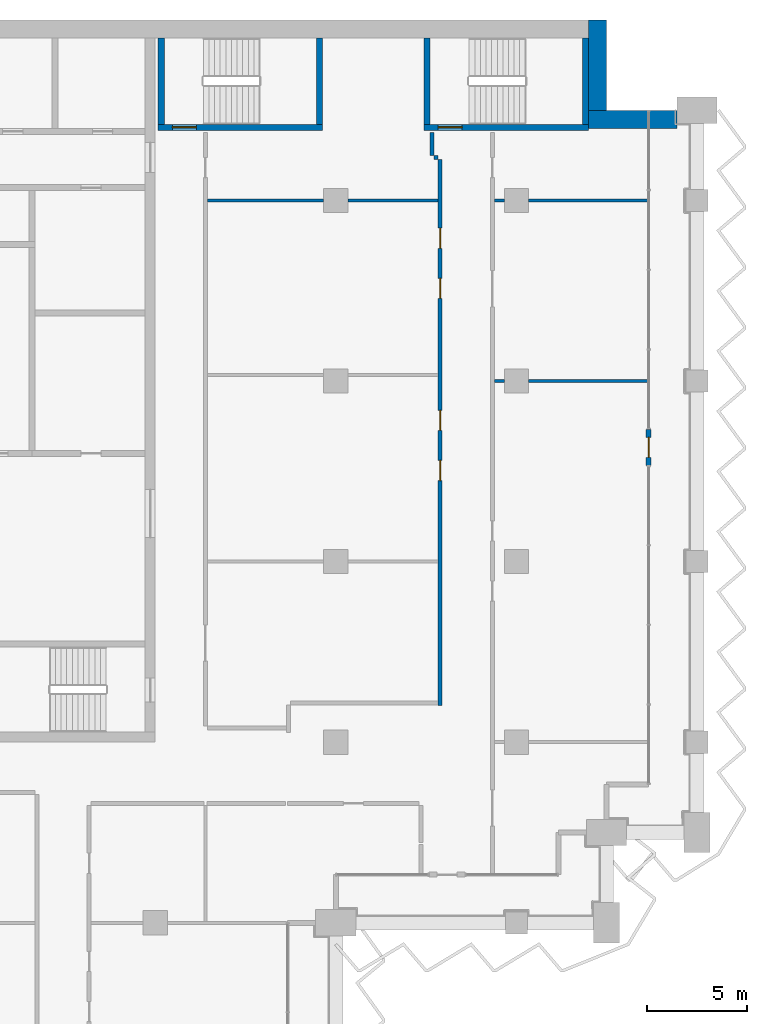
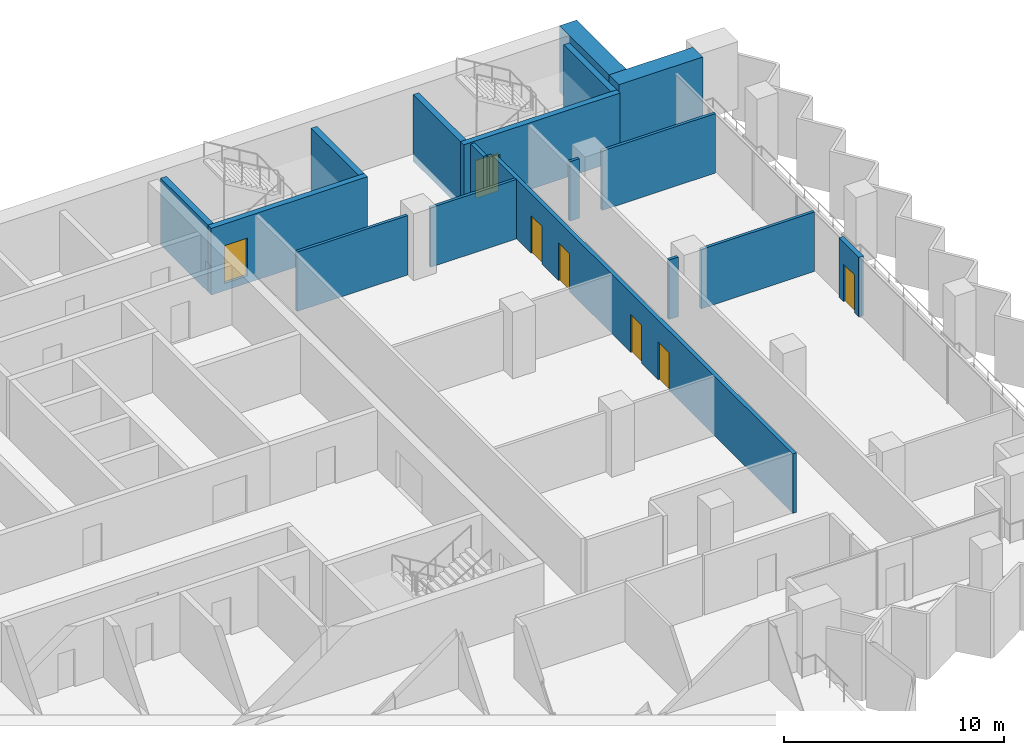
# One storey, part 15 of 23: 18 walls, 7 doors, 7 openings.
"""IFC4 building model written with IfcOpenShell, lengths in metres."""

from ifc_helpers import new_model, si_unit, direction, frame, frame_2d, origin, place, context, subcontext, project, spatial, rectangle, extrude, material, layer, layer_set, type_object, element, fill, save


model = new_model("IFC4")

# Units and contexts
model_context = context("Model", 3, precision=1e-05, world=origin(), true_north=direction((0.0, 1.0)))
body_context = subcontext(model_context, "Body", "Model", "MODEL_VIEW")
ifc_project = project(units=[si_unit("LENGTHUNIT", "METRE"), si_unit("AREAUNIT", "SQUARE_METRE"), si_unit("VOLUMEUNIT", "CUBIC_METRE"), si_unit("PLANEANGLEUNIT", "RADIAN"), si_unit("MASSUNIT", "GRAM", prefix="KILO")], contexts=[model_context])

# Site, building, storey
site_placement = place(None, origin())
site = spatial("IfcSite", under=ifc_project, at=site_placement, CompositionType="ELEMENT")
building_placement = place(site_placement, origin())
building = spatial("IfcBuilding", under=site, at=building_placement, Name="Hunhe Ridgeline Campus", CompositionType="ELEMENT")
storey_placement = place(building_placement, frame((0.0, 0.0, 152.300048828125)))
storey = spatial("IfcBuildingStorey", under=building, at=storey_placement, Name="L38", CompositionType="ELEMENT", Elevation=152.300048828125)

# Walls
ifc_material_1 = material(Name="Gypsum board partition")
ifc_layer_1 = layer(ifc_material_1, 0.199951171875)
ifc_layer_set_1 = layer_set([ifc_layer_1], Name="Corridor partition 200 gypsum board on steel studs")
wall_type_1 = type_object("IfcWallType", Name="Corridor partition 200 gypsum board on steel studs", PredefinedType="PARTITIONING", material=ifc_layer_set_1)
wall_1_placement = place(storey_placement, frame((50.10009765625, 92.14990234375, 0.0), z_axis=(0.0, 0.0, 1.0), x_axis=(-1.0, 0.0, 0.0)))
element("IfcWall", 1, at=wall_1_placement, inside=storey, type_object=wall_type_1, Name="F-L38-wall-058", PredefinedType="PARTITIONING", context=body_context, shape_type="SweptSolid", body=[
    extrude(rectangle(XDim=0.2001953125, YDim=0.199951171875, at=frame_2d((0.10009765625, 0.0))), origin(), (0.0, 0.0, 1.0), 3.300048828125),
])
wall_2_placement = place(storey_placement, frame((49.800048828125, 92.25, 0.0), z_axis=(0.0, 0.0, 1.0), x_axis=(0.0, 1.0, 0.0)))
element("IfcWall", 2, at=wall_2_placement, inside=storey, type_object=wall_type_1, Name="F-L38-wall-074", PredefinedType="PARTITIONING", context=body_context, shape_type="SweptSolid", body=[
    extrude(rectangle(XDim=1.14599609375, YDim=0.199951171875, at=frame_2d((0.572998046875, 0.0))), origin(), (0.0, 0.0, 1.0), 3.300048828125),
])

# Wall, openings, doors
wall_3_placement = place(storey_placement, frame((50.199951171875, 64.820068359375, 0.0), z_axis=(0.0, 0.0, 1.0), x_axis=(0.0, 1.0, 0.0)))
wall_3 = element("IfcWall", 3, at=wall_3_placement, inside=storey, type_object=wall_type_1, Name="F-L38-wall-075", PredefinedType="PARTITIONING", context=body_context, shape_type="SweptSolid", body=[
    extrude(rectangle(XDim=27.22998046875, YDim=0.199951171875, at=frame_2d((13.614990234375, 0.0))), origin(), (0.0, 0.0, 1.0), 3.300048828125),
])
opening_1_placement = place(wall_3_placement, frame((11.22412109375, 0.0, 0.0)))
opening_1 = element("IfcOpeningElement", 4, at=opening_1_placement, cuts=wall_3, Name="Opening RD1-031", PredefinedType="OPENING", context=body_context, shape_type="SweptSolid", body=[
    extrude(rectangle(XDim=1.0, YDim=2.10009765625, at=frame_2d((0.5, 1.050048828125))), frame((0.0, 0.10009765625, 0.0), z_axis=(0.0, -1.0, 0.0), x_axis=(1.0, 0.0, 0.0)), (0.0, 0.0, 1.0), 0.199951171875),
])
opening_2_placement = place(wall_3_placement, frame((13.72412109375, 0.0, 0.0)))
opening_2 = element("IfcOpeningElement", 5, at=opening_2_placement, cuts=wall_3, Name="Opening RD1-032", PredefinedType="OPENING", context=body_context, shape_type="SweptSolid", body=[
    extrude(rectangle(XDim=1.0, YDim=2.10009765625, at=frame_2d((0.5, 1.050048828125))), frame((0.0, 0.10009765625, 0.0), z_axis=(0.0, -1.0, 0.0), x_axis=(1.0, 0.0, 0.0)), (0.0, 0.0, 1.0), 0.199951171875),
])
opening_3_placement = place(wall_3_placement, frame((20.300537109375, 0.0, 0.0)))
opening_3 = element("IfcOpeningElement", 6, at=opening_3_placement, cuts=wall_3, Name="Opening RD1-033", PredefinedType="OPENING", context=body_context, shape_type="SweptSolid", body=[
    extrude(rectangle(XDim=1.0, YDim=2.10009765625, at=frame_2d((0.5, 1.050048828125))), frame((0.0, 0.10009765625, 0.0), z_axis=(0.0, -1.0, 0.0), x_axis=(1.0, 0.0, 0.0)), (0.0, 0.0, 1.0), 0.199951171875),
])
opening_4_placement = place(wall_3_placement, frame((22.800537109375, 0.0, 0.0)))
opening_4 = element("IfcOpeningElement", 7, at=opening_4_placement, cuts=wall_3, Name="Opening RD1-035", PredefinedType="OPENING", context=body_context, shape_type="SweptSolid", body=[
    extrude(rectangle(XDim=1.0, YDim=2.10009765625, at=frame_2d((0.5, 1.050048828125))), frame((0.0, 0.10009765625, 0.0), z_axis=(0.0, -1.0, 0.0), x_axis=(1.0, 0.0, 0.0)), (0.0, 0.0, 1.0), 0.199951171875),
])
ifc_material_2 = material(Name="Timber door leaf", Category="wood")
door_type_1 = type_object("IfcDoorType", Name="Single fire door 1000x2100 timber FD60", OperationType="NOTDEFINED", PredefinedType="DOOR", material=ifc_material_2)
door_1_placement = place(opening_1_placement, frame((1.0, 0.0, 0.0), z_axis=(0.0, 0.0, 1.0), x_axis=(-1.0, 0.0, 0.0)))
door_1 = element("IfcDoor", 8, at=door_1_placement, inside=storey, type_object=door_type_1, Name="F-L38-door-031", OperationType="SINGLE_SWING_LEFT", OverallHeight=2.10009765625, OverallWidth=1.0, PredefinedType="DOOR", context=body_context, shape_type="SweptSolid", body=[
    extrude(rectangle(XDim=1.0, YDim=2.10009765625, at=frame_2d((0.5, 1.050048828125))), frame((0.0, 0.02490234375, 0.0), z_axis=(0.0, -1.0, 0.0), x_axis=(1.0, 0.0, 0.0)), (0.0, 0.0, 1.0), 0.050048828125),
])
fill(opening_1, door_1)
door_2_placement = place(opening_2_placement, frame((1.0, 0.0, 0.0), z_axis=(0.0, 0.0, 1.0), x_axis=(-1.0, 0.0, 0.0)))
door_2 = element("IfcDoor", 9, at=door_2_placement, inside=storey, type_object=door_type_1, Name="F-L38-door-032", OperationType="SINGLE_SWING_LEFT", OverallHeight=2.10009765625, OverallWidth=1.0, PredefinedType="DOOR", context=body_context, shape_type="SweptSolid", body=[
    extrude(rectangle(XDim=1.0, YDim=2.10009765625, at=frame_2d((0.5, 1.050048828125))), frame((0.0, 0.02490234375, 0.0), z_axis=(0.0, -1.0, 0.0), x_axis=(1.0, 0.0, 0.0)), (0.0, 0.0, 1.0), 0.050048828125),
])
fill(opening_2, door_2)
door_3_placement = place(opening_3_placement, frame((1.0, 0.0, 0.0), z_axis=(0.0, 0.0, 1.0), x_axis=(-1.0, 0.0, 0.0)))
door_3 = element("IfcDoor", 10, at=door_3_placement, inside=storey, type_object=door_type_1, Name="F-L38-door-033", OperationType="SINGLE_SWING_LEFT", OverallHeight=2.10009765625, OverallWidth=1.0, PredefinedType="DOOR", context=body_context, shape_type="SweptSolid", body=[
    extrude(rectangle(XDim=1.0, YDim=2.10009765625, at=frame_2d((0.5, 1.050048828125))), frame((0.0, 0.02490234375, 0.0), z_axis=(0.0, -1.0, 0.0), x_axis=(1.0, 0.0, 0.0)), (0.0, 0.0, 1.0), 0.050048828125),
])
fill(opening_3, door_3)
door_4_placement = place(opening_4_placement, frame((1.0, 0.0, 0.0), z_axis=(0.0, 0.0, 1.0), x_axis=(-1.0, 0.0, 0.0)))
door_4 = element("IfcDoor", 11, at=door_4_placement, inside=storey, type_object=door_type_1, Name="F-L38-door-035", OperationType="SINGLE_SWING_LEFT", OverallHeight=2.10009765625, OverallWidth=1.0, PredefinedType="DOOR", context=body_context, shape_type="SweptSolid", body=[
    extrude(rectangle(XDim=1.0, YDim=2.10009765625, at=frame_2d((0.5, 1.050048828125))), frame((0.0, 0.02490234375, 0.0), z_axis=(0.0, -1.0, 0.0), x_axis=(1.0, 0.0, 0.0)), (0.0, 0.0, 1.0), 0.050048828125),
])
fill(opening_4, door_4)

# Wall, opening, door
ifc_material_3 = material(Name="Concrete C30", Category="concrete")
ifc_layer_2 = layer(ifc_material_3, 0.25)
ifc_layer_set_2 = layer_set([ifc_layer_2], Name="Loggia door pier wall 250 Concrete C30")
wall_type_2 = type_object("IfcWallType", Name="Loggia door pier wall 250 Concrete C30", PredefinedType="SOLIDWALL", material=ifc_layer_set_2)
wall_4_placement = place(storey_placement, frame((60.59912109375, 76.800537109375, 0.0), z_axis=(0.0, 0.0, 1.0), x_axis=(0.0, 1.0, 0.0)))
wall_4 = element("IfcWall", 12, at=wall_4_placement, inside=storey, type_object=wall_type_2, Name="Loggia door pier 4", PredefinedType="SOLIDWALL", context=body_context, shape_type="SweptSolid", body=[
    extrude(rectangle(XDim=1.800048828125, YDim=0.25, at=frame_2d((0.89990234375, 0.0))), origin(), (0.0, 0.0, 1.0), 3.300048828125),
])
opening_5_placement = place(wall_4_placement, frame((0.39990234375, 0.0, 0.0)))
opening_5 = element("IfcOpeningElement", 13, at=opening_5_placement, cuts=wall_4, Name="Opening BD307", PredefinedType="OPENING", context=body_context, shape_type="SweptSolid", body=[
    extrude(rectangle(XDim=1.0, YDim=2.10009765625, at=frame_2d((0.5, 1.050048828125))), frame((0.0, 0.125, 0.0), z_axis=(0.0, -1.0, 0.0), x_axis=(1.0, 0.0, 0.0)), (0.0, 0.0, 1.0), 0.25),
])
ifc_material_4 = material(Name="Aluminium 6063", Category="aluminium")
door_type_2 = type_object("IfcDoorType", Name="Loggia glazed door 1000x2100", OperationType="NOTDEFINED", PredefinedType="DOOR", material=ifc_material_4)
door_5_placement = place(opening_5_placement, frame((1.0, 0.0, 0.0), z_axis=(0.0, 0.0, 1.0), x_axis=(-1.0, 0.0, 0.0)))
door_5 = element("IfcDoor", 14, at=door_5_placement, inside=storey, type_object=door_type_2, Name="Loggia door BD307", OperationType="SINGLE_SWING_RIGHT", OverallHeight=2.10009765625, OverallWidth=1.0, PredefinedType="DOOR", context=body_context, shape_type="SweptSolid", body=[
    extrude(rectangle(XDim=1.0, YDim=2.10009765625, at=frame_2d((0.5, 1.050048828125))), frame((0.0, 0.02490234375, 0.0), z_axis=(0.0, -1.0, 0.0), x_axis=(1.0, 0.0, 0.0)), (0.0, 0.0, 1.0), 0.050048828125),
])
fill(opening_5, door_5)

# Walls
ifc_layer_3 = layer(ifc_material_1, 0.14990234375)
ifc_layer_set_3 = layer_set([ifc_layer_3], Name="Room partition 150 gypsum board on steel studs")
wall_type_3 = type_object("IfcWallType", Name="Room partition 150 gypsum board on steel studs", PredefinedType="PARTITIONING", material=ifc_layer_set_3)
wall_5_placement = place(storey_placement, frame((52.89990234375, 81.0, 0.0), z_axis=(0.0, 0.0, 1.0), x_axis=(1.0, 0.0, 0.0)))
element("IfcWall", 15, at=wall_5_placement, inside=storey, type_object=wall_type_3, Name="F-L38-wall-050", PredefinedType="PARTITIONING", context=body_context, shape_type="SweptSolid", body=[
    extrude(rectangle(XDim=0.5, YDim=0.14990234375, at=frame_2d((0.25, 0.0))), origin(), (0.0, 0.0, 1.0), 3.300048828125),
])
wall_6_placement = place(storey_placement, frame((54.60009765625, 81.0, 0.0), z_axis=(0.0, 0.0, 1.0), x_axis=(1.0, 0.0, 0.0)))
element("IfcWall", 16, at=wall_6_placement, inside=storey, type_object=wall_type_3, Name="F-L38-wall-051", PredefinedType="PARTITIONING", context=body_context, shape_type="SweptSolid", body=[
    extrude(rectangle(XDim=5.94482421875, YDim=0.14990234375, at=frame_2d((2.972412109375, 0.0))), origin(), (0.0, 0.0, 1.0), 3.300048828125),
])
wall_7_placement = place(storey_placement, frame((38.60009765625, 90.0, 0.0), z_axis=(0.0, 0.0, 1.0), x_axis=(1.0, 0.0, 0.0)))
element("IfcWall", 17, at=wall_7_placement, inside=storey, type_object=wall_type_3, Name="F-L38-wall-054", PredefinedType="PARTITIONING", context=body_context, shape_type="SweptSolid", body=[
    extrude(rectangle(XDim=5.7998046875, YDim=0.14990234375, at=frame_2d((2.89990234375, 0.0))), origin(), (0.0, 0.0, 1.0), 3.300048828125),
])
wall_8_placement = place(storey_placement, frame((45.60009765625, 90.0, 0.0), z_axis=(0.0, 0.0, 1.0), x_axis=(1.0, 0.0, 0.0)))
element("IfcWall", 18, at=wall_8_placement, inside=storey, type_object=wall_type_3, Name="F-L38-wall-055", PredefinedType="PARTITIONING", context=body_context, shape_type="SweptSolid", body=[
    extrude(rectangle(XDim=4.5, YDim=0.14990234375, at=frame_2d((2.25, 0.0))), origin(), (0.0, 0.0, 1.0), 3.300048828125),
])
wall_9_placement = place(storey_placement, frame((52.89990234375, 90.0, 0.0), z_axis=(0.0, 0.0, 1.0), x_axis=(1.0, 0.0, 0.0)))
element("IfcWall", 19, at=wall_9_placement, inside=storey, type_object=wall_type_3, Name="F-L38-wall-056", PredefinedType="PARTITIONING", context=body_context, shape_type="SweptSolid", body=[
    extrude(rectangle(XDim=0.5, YDim=0.14990234375, at=frame_2d((0.25, 0.0))), origin(), (0.0, 0.0, 1.0), 3.300048828125),
])
wall_10_placement = place(storey_placement, frame((54.60009765625, 90.0, 0.0), z_axis=(0.0, 0.0, 1.0), x_axis=(1.0, 0.0, 0.0)))
element("IfcWall", 20, at=wall_10_placement, inside=storey, type_object=wall_type_3, Name="F-L38-wall-057", PredefinedType="PARTITIONING", context=body_context, shape_type="SweptSolid", body=[
    extrude(rectangle(XDim=5.94482421875, YDim=0.14990234375, at=frame_2d((2.972412109375, 0.0))), origin(), (0.0, 0.0, 1.0), 3.300048828125),
])
ifc_material_5 = material(Name="Concrete C70", Category="concrete")
ifc_layer_4 = layer(ifc_material_5, 0.89990234375)
ifc_layer_set_4 = layer_set([ifc_layer_4], Name="Spine wall 900 Concrete C70")
wall_type_4 = type_object("IfcWallType", Name="Spine wall 900 Concrete C70", PredefinedType="SHEAR", material=ifc_layer_set_4)
wall_11_placement = place(storey_placement, frame((62.0, 94.050048828125, 0.0), z_axis=(0.0, 0.0, 1.0), x_axis=(-1.0, 0.0, 0.0)))
element("IfcWall", 21, at=wall_11_placement, inside=storey, type_object=wall_type_4, Name="Spine wall SW2-2 L38", PredefinedType="SHEAR", context=body_context, shape_type="SweptSolid", body=[
    extrude(rectangle(XDim=4.400390625, YDim=0.89990234375, at=frame_2d((2.2001953125, 0.0))), origin(), (0.0, 0.0, 1.0), 3.699951171875),
])
wall_12_placement = place(storey_placement, frame((58.050048828125, 93.60009765625, 0.0), z_axis=(0.0, 0.0, 1.0), x_axis=(0.0, 1.0, 0.0)))
element("IfcWall", 22, at=wall_12_placement, inside=storey, type_object=wall_type_4, Name="Spine wall SW2-3 L38", PredefinedType="SHEAR", context=body_context, shape_type="SweptSolid", body=[
    extrude(rectangle(XDim=5.39990234375, YDim=0.89990234375, at=frame_2d((2.699951171875, 0.0))), origin(), (0.0, 0.0, 1.0), 3.699951171875),
])

# Wall, opening, door
ifc_layer_5 = layer(ifc_material_5, 0.300048828125)
ifc_layer_set_5 = layer_set([ifc_layer_5], Name="Stair wall 300 reinforced concrete C70")
wall_type_5 = type_object("IfcWallType", Name="Stair wall 300 reinforced concrete C70", PredefinedType="SOLIDWALL", material=ifc_layer_set_5)
wall_13_placement = place(storey_placement, frame((36.14990234375, 93.64990234375, -0.400146484375), z_axis=(0.0, 0.0, 1.0), x_axis=(1.0, 0.0, 0.0)))
wall_13 = element("IfcWall", 23, at=wall_13_placement, inside=storey, type_object=wall_type_5, Name="L38 core wall 28", PredefinedType="SOLIDWALL", context=body_context, shape_type="SweptSolid", body=[
    extrude(rectangle(XDim=8.2001953125, YDim=0.300048828125, at=frame_2d((4.10009765625, 0.0))), origin(), (0.0, 0.0, 1.0), 3.7001953125),
])
opening_6_placement = place(wall_13_placement, frame((0.699951171875, 0.0, 0.39990234375)))
opening_6 = element("IfcOpeningElement", 24, at=opening_6_placement, cuts=wall_13, Name="Opening CD17", PredefinedType="OPENING", context=body_context, shape_type="SweptSolid", body=[
    extrude(rectangle(XDim=1.199951171875, YDim=2.10009765625, at=frame_2d((0.60009765625, 1.050048828125))), frame((0.0, 0.14990234375, 0.0), z_axis=(0.0, -1.0, 0.0), x_axis=(1.0, 0.0, 0.0)), (0.0, 0.0, 1.0), 0.300048828125),
])
ifc_material_6 = material(Name="Hollow metal fire door leaf")
door_type_3 = type_object("IfcDoorType", Name="Stair door 1200x2100 FD60", OperationType="SINGLE_SWING_LEFT", PredefinedType="DOOR", material=ifc_material_6)
door_6_placement = place(opening_6_placement, frame((1.199951171875, 0.0, 0.0), z_axis=(0.0, 0.0, 1.0), x_axis=(-1.0, 0.0, 0.0)))
door_6 = element("IfcDoor", 25, at=door_6_placement, inside=storey, type_object=door_type_3, Name="L38 door E1", OperationType="SINGLE_SWING_RIGHT", OverallHeight=2.10009765625, OverallWidth=1.199951171875, PredefinedType="DOOR", context=body_context, shape_type="SweptSolid", body=[
    extrude(rectangle(XDim=1.199951171875, YDim=2.10009765625, at=frame_2d((0.60009765625, 1.050048828125))), frame((0.0, 0.02490234375, 0.0), z_axis=(0.0, -1.0, 0.0), x_axis=(1.0, 0.0, 0.0)), (0.0, 0.0, 1.0), 0.050048828125),
])
fill(opening_6, door_6)

wall_14_placement = place(storey_placement, frame((49.39990234375, 93.64990234375, -0.400146484375), z_axis=(0.0, 0.0, 1.0), x_axis=(1.0, 0.0, 0.0)))
wall_14 = element("IfcWall", 26, at=wall_14_placement, inside=storey, type_object=wall_type_5, Name="L38 core wall 29", PredefinedType="SOLIDWALL", context=body_context, shape_type="SweptSolid", body=[
    extrude(rectangle(XDim=8.2001953125, YDim=0.300048828125, at=frame_2d((4.10009765625, 0.0))), origin(), (0.0, 0.0, 1.0), 3.7001953125),
])
opening_7_placement = place(wall_14_placement, frame((0.699951171875, 0.0, 0.39990234375)))
opening_7 = element("IfcOpeningElement", 27, at=opening_7_placement, cuts=wall_14, Name="Opening CD18", PredefinedType="OPENING", context=body_context, shape_type="SweptSolid", body=[
    extrude(rectangle(XDim=1.199951171875, YDim=2.10009765625, at=frame_2d((0.60009765625, 1.050048828125))), frame((0.0, 0.14990234375, 0.0), z_axis=(0.0, -1.0, 0.0), x_axis=(1.0, 0.0, 0.0)), (0.0, 0.0, 1.0), 0.300048828125),
])
door_7_placement = place(opening_7_placement, frame((1.199951171875, 0.0, 0.0), z_axis=(0.0, 0.0, 1.0), x_axis=(-1.0, 0.0, 0.0)))
door_7 = element("IfcDoor", 28, at=door_7_placement, inside=storey, type_object=door_type_3, Name="L38 door E2", OperationType="SINGLE_SWING_LEFT", OverallHeight=2.10009765625, OverallWidth=1.199951171875, PredefinedType="DOOR", context=body_context, shape_type="SweptSolid", body=[
    extrude(rectangle(XDim=1.199951171875, YDim=2.10009765625, at=frame_2d((0.60009765625, 1.050048828125))), frame((0.0, 0.02490234375, 0.0), z_axis=(0.0, -1.0, 0.0), x_axis=(1.0, 0.0, 0.0)), (0.0, 0.0, 1.0), 0.050048828125),
])
fill(opening_7, door_7)

# Walls
for number, where, z_axis, x_axis, name in (
    (29, (36.300048828125, 93.800048828125, -0.400146484375), (0.0, 0.0, 1.0), (0.0, 1.0, 0.0), "L38 core wall 61"),
    (30, (44.199951171875, 93.800048828125, -0.400146484375), (0.0, 0.0, 1.0), (0.0, 1.0, 0.0), "L38 core wall 62"),
    (31, (49.550048828125, 93.800048828125, -0.400146484375), (0.0, 0.0, 1.0), (0.0, 1.0, 0.0), "L38 core wall 63"),
    (32, (57.449951171875, 93.800048828125, -0.400146484375), (0.0, 0.0, 1.0), (0.0, 1.0, 0.0), "L38 core wall 64"),
):
    element("IfcWall", number, at=place(storey_placement, frame(where, z_axis=z_axis, x_axis=x_axis)), inside=storey, type_object=wall_type_5, Name=name, PredefinedType="SOLIDWALL", context=body_context, shape_type="SweptSolid", body=[
        extrude(rectangle(XDim=4.300048828125, YDim=0.300048828125, at=frame_2d((2.14990234375, 0.0))), origin(), (0.0, 0.0, 1.0), 3.7001953125),
    ])

save(model, "model.ifc")
